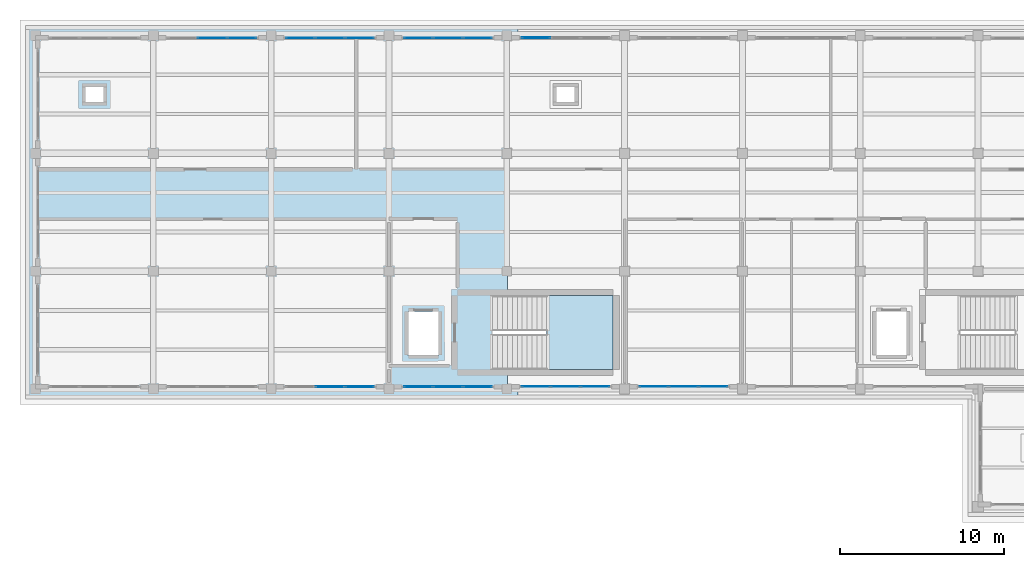
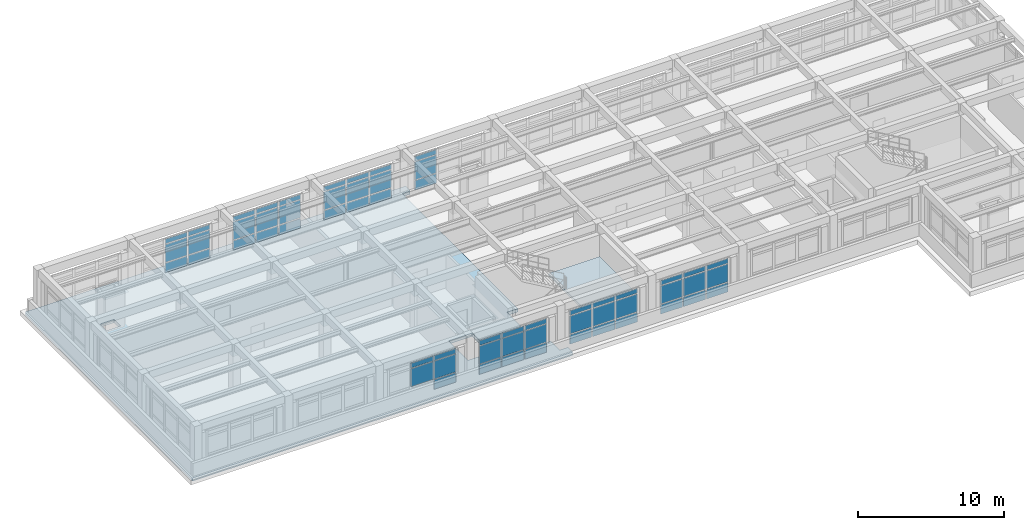
# One storey, part 11 of 19: 59 plates, 2 slabs, 9 elements without a shape of their own.
"""IFC4 building model written with IfcOpenShell, lengths in metres."""

from ifc_helpers import new_model, si_unit, direction, frame, origin, origin_2d, place, context, subcontext, project, spatial, polyline, rectangle, outline, extrude, material, layer, layer_set, type_object, element, aggregate, save


model = new_model("IFC4")

# Units and contexts
model_context = context("Model", 3, precision=1e-05, world=origin(), true_north=direction((0.0, 1.0)))
body_context = subcontext(model_context, "Body", "Model", "MODEL_VIEW")
ifc_project = project(units=[si_unit("LENGTHUNIT", "METRE"), si_unit("AREAUNIT", "SQUARE_METRE"), si_unit("VOLUMEUNIT", "CUBIC_METRE"), si_unit("PLANEANGLEUNIT", "RADIAN"), si_unit("MASSUNIT", "GRAM", prefix="KILO")], contexts=[model_context])

# Site, building, storey
site_placement = place(None, origin())
site = spatial("IfcSite", under=ifc_project, at=site_placement, CompositionType="ELEMENT")
building_placement = place(site_placement, origin())
building = spatial("IfcBuilding", under=site, at=building_placement, Name="Solenvale Faculty of Natural Sciences", CompositionType="ELEMENT")
storey_placement = place(building_placement, frame((0.0, 0.0, 27.0)))
storey = spatial("IfcBuildingStorey", under=building, at=storey_placement, Name="L06", CompositionType="ELEMENT", Elevation=27.0)

# Curtain wall, plates
ifc_material_1 = material(Name="Anodised bronze aluminium", Category="aluminium")
ifc_layer_1 = layer(ifc_material_1, 0.179931640625)
ifc_layer_set_1 = layer_set([ifc_layer_1], Name="Anodised bronze aluminium")
curtain_wall_type = type_object("IfcCurtainWallType", Name="CW-TWR-MOD", PredefinedType="USERDEFINED", material=ifc_layer_set_1)
curtain_wall_1_placement = place(storey_placement, origin())
curtain_wall_1 = element("IfcCurtainWall", 1, at=curtain_wall_1_placement, inside=storey, type_object=curtain_wall_type, Name="L06 Curtain Wall CW-L06-P1-E2-B7", ObjectType="UNITISED CURTAIN WALL", PredefinedType="USERDEFINED")
ifc_material_2 = material(Name="North-light skylight glass", Category="glass")
ifc_layer_2 = layer(ifc_material_2, 0.028076171875)
ifc_layer_set_2 = layer_set([ifc_layer_2], Name="North-light skylight glass")
plate_type_1 = type_object("IfcPlateType", Name="CWP-PNL-28", PredefinedType="CURTAIN_PANEL", material=ifc_layer_set_2)
plate_1_placement = place(storey_placement, frame((106.214599609375, 115.0576171875, 0.074951171875), z_axis=(0.0, 0.0, 1.0), x_axis=(-1.0, 0.0, 0.0)))
plate_1 = element("IfcPlate", 2, at=plate_1_placement, type_object=plate_type_1, Name="CW-04 panel 1.1", PredefinedType="CURTAIN_PANEL", context=body_context, shape_type="SweptSolid", body=[
    extrude(rectangle(XDim=1.720947265625, YDim=0.028076171875, at=origin_2d()), origin(), (0.0, 0.0, 1.0), 0.78759765625),
])
plate_2_placement = place(storey_placement, frame((106.214599609375, 115.0576171875, 0.9375), z_axis=(0.0, 0.0, 1.0), x_axis=(-1.0, 0.0, 0.0)))
plate_2 = element("IfcPlate", 3, at=plate_2_placement, type_object=plate_type_1, Name="CW-04 panel 1.2", PredefinedType="CURTAIN_PANEL", context=body_context, shape_type="SweptSolid", body=[
    extrude(rectangle(XDim=1.720947265625, YDim=0.028076171875, at=origin_2d()), origin(), (0.0, 0.0, 1.0), 1.485107421875),
])
plate_3_placement = place(storey_placement, frame((106.214599609375, 115.0576171875, 2.49755859375), z_axis=(0.0, 0.0, 1.0), x_axis=(-1.0, 0.0, 0.0)))
plate_3 = element("IfcPlate", 4, at=plate_3_placement, type_object=plate_type_1, Name="CW-04 panel 1.3", PredefinedType="CURTAIN_PANEL", context=body_context, shape_type="SweptSolid", body=[
    extrude(rectangle(XDim=1.720947265625, YDim=0.028076171875, at=origin_2d()), origin(), (0.0, 0.0, 1.0), 0.387451171875),
])
plate_4_placement = place(storey_placement, frame((104.39990234375, 115.0576171875, 0.074951171875), z_axis=(0.0, 0.0, 1.0), x_axis=(-1.0, 0.0, 0.0)))
plate_4 = element("IfcPlate", 5, at=plate_4_placement, type_object=plate_type_1, Name="CW-04 panel 2.1", PredefinedType="CURTAIN_PANEL", context=body_context, shape_type="SweptSolid", body=[
    extrude(rectangle(XDim=1.75830078125, YDim=0.028076171875, at=origin_2d()), origin(), (0.0, 0.0, 1.0), 0.78759765625),
])
plate_5_placement = place(storey_placement, frame((104.39990234375, 115.0576171875, 0.9375), z_axis=(0.0, 0.0, 1.0), x_axis=(-1.0, 0.0, 0.0)))
plate_5 = element("IfcPlate", 6, at=plate_5_placement, type_object=plate_type_1, Name="CW-04 panel 2.2", PredefinedType="CURTAIN_PANEL", context=body_context, shape_type="SweptSolid", body=[
    extrude(rectangle(XDim=1.75830078125, YDim=0.028076171875, at=origin_2d()), origin(), (0.0, 0.0, 1.0), 1.485107421875),
])
plate_6_placement = place(storey_placement, frame((104.39990234375, 115.0576171875, 2.49755859375), z_axis=(0.0, 0.0, 1.0), x_axis=(-1.0, 0.0, 0.0)))
plate_6 = element("IfcPlate", 7, at=plate_6_placement, type_object=plate_type_1, Name="CW-04 panel 2.3", PredefinedType="CURTAIN_PANEL", context=body_context, shape_type="SweptSolid", body=[
    extrude(rectangle(XDim=1.75830078125, YDim=0.028076171875, at=origin_2d()), origin(), (0.0, 0.0, 1.0), 0.387451171875),
])
plate_7_placement = place(storey_placement, frame((102.58544921875, 115.0576171875, 0.074951171875), z_axis=(0.0, 0.0, 1.0), x_axis=(-1.0, 0.0, 0.0)))
plate_7 = element("IfcPlate", 8, at=plate_7_placement, type_object=plate_type_1, Name="CW-04 panel 3.1", PredefinedType="CURTAIN_PANEL", context=body_context, shape_type="SweptSolid", body=[
    extrude(rectangle(XDim=1.720947265625, YDim=0.028076171875, at=origin_2d()), origin(), (0.0, 0.0, 1.0), 0.78759765625),
])
plate_8_placement = place(storey_placement, frame((102.58544921875, 115.0576171875, 0.9375), z_axis=(0.0, 0.0, 1.0), x_axis=(-1.0, 0.0, 0.0)))
plate_8 = element("IfcPlate", 9, at=plate_8_placement, type_object=plate_type_1, Name="CW-04 panel 3.2", PredefinedType="CURTAIN_PANEL", context=body_context, shape_type="SweptSolid", body=[
    extrude(rectangle(XDim=1.720947265625, YDim=0.028076171875, at=origin_2d()), origin(), (0.0, 0.0, 1.0), 1.485107421875),
])
plate_9_placement = place(storey_placement, frame((102.58544921875, 115.0576171875, 2.49755859375), z_axis=(0.0, 0.0, 1.0), x_axis=(-1.0, 0.0, 0.0)))
plate_9 = element("IfcPlate", 10, at=plate_9_placement, type_object=plate_type_1, Name="CW-04 panel 3.3", PredefinedType="CURTAIN_PANEL", context=body_context, shape_type="SweptSolid", body=[
    extrude(rectangle(XDim=1.720947265625, YDim=0.028076171875, at=origin_2d()), origin(), (0.0, 0.0, 1.0), 0.387451171875),
])
aggregate(curtain_wall_1, [plate_1, plate_2, plate_3, plate_4, plate_5, plate_6, plate_7, plate_8, plate_9])

curtain_wall_2_placement = place(storey_placement, origin())
curtain_wall_2 = element("IfcCurtainWall", 11, at=curtain_wall_2_placement, inside=storey, type_object=curtain_wall_type, Name="L06 Curtain Wall CW-L06-P1-E4-B5", ObjectType="UNITISED CURTAIN WALL", PredefinedType="USERDEFINED")
plate_10_placement = place(storey_placement, frame((109.785400390625, 93.742431640625, 0.074951171875), z_axis=(0.0, 0.0, 1.0), x_axis=(1.0, 0.0, 0.0)))
plate_10 = element("IfcPlate", 12, at=plate_10_placement, type_object=plate_type_1, Name="CW-04 panel 1.1", PredefinedType="CURTAIN_PANEL", context=body_context, shape_type="SweptSolid", body=[
    extrude(rectangle(XDim=1.720947265625, YDim=0.028076171875, at=origin_2d()), origin(), (0.0, 0.0, 1.0), 0.78759765625),
])
plate_11_placement = place(storey_placement, frame((109.785400390625, 93.742431640625, 0.9375), z_axis=(0.0, 0.0, 1.0), x_axis=(1.0, 0.0, 0.0)))
plate_11 = element("IfcPlate", 13, at=plate_11_placement, type_object=plate_type_1, Name="CW-04 panel 1.2", PredefinedType="CURTAIN_PANEL", context=body_context, shape_type="SweptSolid", body=[
    extrude(rectangle(XDim=1.720947265625, YDim=0.028076171875, at=origin_2d()), origin(), (0.0, 0.0, 1.0), 1.485107421875),
])
plate_12_placement = place(storey_placement, frame((109.785400390625, 93.742431640625, 2.49755859375), z_axis=(0.0, 0.0, 1.0), x_axis=(1.0, 0.0, 0.0)))
plate_12 = element("IfcPlate", 14, at=plate_12_placement, type_object=plate_type_1, Name="CW-04 panel 1.3", PredefinedType="CURTAIN_PANEL", context=body_context, shape_type="SweptSolid", body=[
    extrude(rectangle(XDim=1.720947265625, YDim=0.028076171875, at=origin_2d()), origin(), (0.0, 0.0, 1.0), 0.387451171875),
])
plate_13_placement = place(storey_placement, frame((111.60009765625, 93.742431640625, 0.074951171875), z_axis=(0.0, 0.0, 1.0), x_axis=(1.0, 0.0, 0.0)))
plate_13 = element("IfcPlate", 15, at=plate_13_placement, type_object=plate_type_1, Name="CW-04 panel 2.1", PredefinedType="CURTAIN_PANEL", context=body_context, shape_type="SweptSolid", body=[
    extrude(rectangle(XDim=1.75830078125, YDim=0.028076171875, at=origin_2d()), origin(), (0.0, 0.0, 1.0), 0.78759765625),
])
plate_14_placement = place(storey_placement, frame((111.60009765625, 93.742431640625, 0.9375), z_axis=(0.0, 0.0, 1.0), x_axis=(1.0, 0.0, 0.0)))
plate_14 = element("IfcPlate", 16, at=plate_14_placement, type_object=plate_type_1, Name="CW-04 panel 2.2", PredefinedType="CURTAIN_PANEL", context=body_context, shape_type="SweptSolid", body=[
    extrude(rectangle(XDim=1.75830078125, YDim=0.028076171875, at=origin_2d()), origin(), (0.0, 0.0, 1.0), 1.485107421875),
])
plate_15_placement = place(storey_placement, frame((111.60009765625, 93.742431640625, 2.49755859375), z_axis=(0.0, 0.0, 1.0), x_axis=(1.0, 0.0, 0.0)))
plate_15 = element("IfcPlate", 17, at=plate_15_placement, type_object=plate_type_1, Name="CW-04 panel 2.3", PredefinedType="CURTAIN_PANEL", context=body_context, shape_type="SweptSolid", body=[
    extrude(rectangle(XDim=1.75830078125, YDim=0.028076171875, at=origin_2d()), origin(), (0.0, 0.0, 1.0), 0.387451171875),
])
plate_16_placement = place(storey_placement, frame((113.41455078125, 93.742431640625, 0.074951171875), z_axis=(0.0, 0.0, 1.0), x_axis=(1.0, 0.0, 0.0)))
plate_16 = element("IfcPlate", 18, at=plate_16_placement, type_object=plate_type_1, Name="CW-04 panel 3.1", PredefinedType="CURTAIN_PANEL", context=body_context, shape_type="SweptSolid", body=[
    extrude(rectangle(XDim=1.720947265625, YDim=0.028076171875, at=origin_2d()), origin(), (0.0, 0.0, 1.0), 0.78759765625),
])
plate_17_placement = place(storey_placement, frame((113.41455078125, 93.742431640625, 0.9375), z_axis=(0.0, 0.0, 1.0), x_axis=(1.0, 0.0, 0.0)))
plate_17 = element("IfcPlate", 19, at=plate_17_placement, type_object=plate_type_1, Name="CW-04 panel 3.2", PredefinedType="CURTAIN_PANEL", context=body_context, shape_type="SweptSolid", body=[
    extrude(rectangle(XDim=1.720947265625, YDim=0.028076171875, at=origin_2d()), origin(), (0.0, 0.0, 1.0), 1.485107421875),
])
plate_18_placement = place(storey_placement, frame((113.41455078125, 93.742431640625, 2.49755859375), z_axis=(0.0, 0.0, 1.0), x_axis=(1.0, 0.0, 0.0)))
plate_18 = element("IfcPlate", 20, at=plate_18_placement, type_object=plate_type_1, Name="CW-04 panel 3.3", PredefinedType="CURTAIN_PANEL", context=body_context, shape_type="SweptSolid", body=[
    extrude(rectangle(XDim=1.720947265625, YDim=0.028076171875, at=origin_2d()), origin(), (0.0, 0.0, 1.0), 0.387451171875),
])
aggregate(curtain_wall_2, [plate_10, plate_11, plate_12, plate_13, plate_14, plate_15, plate_16, plate_17, plate_18])

curtain_wall_3_placement = place(storey_placement, origin())
curtain_wall_3 = element("IfcCurtainWall", 21, at=curtain_wall_3_placement, inside=storey, type_object=curtain_wall_type, Name="L06 Curtain Wall CW-L06-P1-E2-B8", ObjectType="UNITISED CURTAIN WALL", PredefinedType="USERDEFINED")
ifc_material_3 = material(Name="Triple low-E insulated glass", Category="glass")
ifc_layer_3 = layer(ifc_material_3, 0.031982421875)
ifc_layer_set_3 = layer_set([ifc_layer_3], Name="Triple low-E insulated glass")
plate_type_2 = type_object("IfcPlateType", Name="CWP-PNL-32", PredefinedType="CURTAIN_PANEL", material=ifc_layer_set_3)
plate_19_placement = place(storey_placement, frame((99.0146484375, 115.0576171875, 0.074951171875), z_axis=(0.0, 0.0, 1.0), x_axis=(-1.0, 0.0, 0.0)))
plate_19 = element("IfcPlate", 22, at=plate_19_placement, type_object=plate_type_2, Name="CW-04 panel 1.1", PredefinedType="CURTAIN_PANEL", context=body_context, shape_type="SweptSolid", body=[
    extrude(rectangle(XDim=1.720947265625, YDim=0.031982421875, at=origin_2d()), origin(), (0.0, 0.0, 1.0), 0.78759765625),
])
plate_20_placement = place(storey_placement, frame((99.0146484375, 115.0576171875, 0.9375), z_axis=(0.0, 0.0, 1.0), x_axis=(-1.0, 0.0, 0.0)))
plate_20 = element("IfcPlate", 23, at=plate_20_placement, type_object=plate_type_2, Name="CW-04 panel 1.2", PredefinedType="CURTAIN_PANEL", context=body_context, shape_type="SweptSolid", body=[
    extrude(rectangle(XDim=1.720947265625, YDim=0.031982421875, at=origin_2d()), origin(), (0.0, 0.0, 1.0), 1.485107421875),
])
plate_21_placement = place(storey_placement, frame((99.0146484375, 115.0576171875, 2.49755859375), z_axis=(0.0, 0.0, 1.0), x_axis=(-1.0, 0.0, 0.0)))
plate_21 = element("IfcPlate", 24, at=plate_21_placement, type_object=plate_type_2, Name="CW-04 panel 1.3", PredefinedType="CURTAIN_PANEL", context=body_context, shape_type="SweptSolid", body=[
    extrude(rectangle(XDim=1.720947265625, YDim=0.031982421875, at=origin_2d()), origin(), (0.0, 0.0, 1.0), 0.387451171875),
])
plate_22_placement = place(storey_placement, frame((97.199951171875, 115.0576171875, 0.074951171875), z_axis=(0.0, 0.0, 1.0), x_axis=(-1.0, 0.0, 0.0)))
plate_22 = element("IfcPlate", 25, at=plate_22_placement, type_object=plate_type_2, Name="CW-04 panel 2.1", PredefinedType="CURTAIN_PANEL", context=body_context, shape_type="SweptSolid", body=[
    extrude(rectangle(XDim=1.75830078125, YDim=0.031982421875, at=origin_2d()), origin(), (0.0, 0.0, 1.0), 0.78759765625),
])
plate_23_placement = place(storey_placement, frame((97.199951171875, 115.0576171875, 0.9375), z_axis=(0.0, 0.0, 1.0), x_axis=(-1.0, 0.0, 0.0)))
plate_23 = element("IfcPlate", 26, at=plate_23_placement, type_object=plate_type_2, Name="CW-04 panel 2.2", PredefinedType="CURTAIN_PANEL", context=body_context, shape_type="SweptSolid", body=[
    extrude(rectangle(XDim=1.75830078125, YDim=0.031982421875, at=origin_2d()), origin(), (0.0, 0.0, 1.0), 1.485107421875),
])
plate_24_placement = place(storey_placement, frame((97.199951171875, 115.0576171875, 2.49755859375), z_axis=(0.0, 0.0, 1.0), x_axis=(-1.0, 0.0, 0.0)))
plate_24 = element("IfcPlate", 27, at=plate_24_placement, type_object=plate_type_2, Name="CW-04 panel 2.3", PredefinedType="CURTAIN_PANEL", context=body_context, shape_type="SweptSolid", body=[
    extrude(rectangle(XDim=1.75830078125, YDim=0.031982421875, at=origin_2d()), origin(), (0.0, 0.0, 1.0), 0.387451171875),
])
plate_25_placement = place(storey_placement, frame((95.385498046875, 115.0576171875, 0.074951171875), z_axis=(0.0, 0.0, 1.0), x_axis=(-1.0, 0.0, 0.0)))
plate_25 = element("IfcPlate", 28, at=plate_25_placement, type_object=plate_type_2, Name="CW-04 panel 3.1", PredefinedType="CURTAIN_PANEL", context=body_context, shape_type="SweptSolid", body=[
    extrude(rectangle(XDim=1.720947265625, YDim=0.031982421875, at=origin_2d()), origin(), (0.0, 0.0, 1.0), 0.78759765625),
])
plate_26_placement = place(storey_placement, frame((95.385498046875, 115.0576171875, 0.9375), z_axis=(0.0, 0.0, 1.0), x_axis=(-1.0, 0.0, 0.0)))
plate_26 = element("IfcPlate", 29, at=plate_26_placement, type_object=plate_type_2, Name="CW-04 panel 3.2", PredefinedType="CURTAIN_PANEL", context=body_context, shape_type="SweptSolid", body=[
    extrude(rectangle(XDim=1.720947265625, YDim=0.031982421875, at=origin_2d()), origin(), (0.0, 0.0, 1.0), 1.485107421875),
])
plate_27_placement = place(storey_placement, frame((95.385498046875, 115.0576171875, 2.49755859375), z_axis=(0.0, 0.0, 1.0), x_axis=(-1.0, 0.0, 0.0)))
plate_27 = element("IfcPlate", 30, at=plate_27_placement, type_object=plate_type_2, Name="CW-04 panel 3.3", PredefinedType="CURTAIN_PANEL", context=body_context, shape_type="SweptSolid", body=[
    extrude(rectangle(XDim=1.720947265625, YDim=0.031982421875, at=origin_2d()), origin(), (0.0, 0.0, 1.0), 0.387451171875),
])
aggregate(curtain_wall_3, [plate_19, plate_20, plate_21, plate_22, plate_23, plate_24, plate_25, plate_26, plate_27])

curtain_wall_4_placement = place(storey_placement, origin())
curtain_wall_4 = element("IfcCurtainWall", 31, at=curtain_wall_4_placement, inside=storey, type_object=curtain_wall_type, Name="L06 Curtain Wall CW-L06-P1-E4-B6", ObjectType="UNITISED CURTAIN WALL", PredefinedType="USERDEFINED")
plate_28_placement = place(storey_placement, frame((116.9853515625, 93.742431640625, 0.074951171875), z_axis=(0.0, 0.0, 1.0), x_axis=(1.0, 0.0, 0.0)))
plate_28 = element("IfcPlate", 32, at=plate_28_placement, type_object=plate_type_2, Name="CW-04 panel 1.1", PredefinedType="CURTAIN_PANEL", context=body_context, shape_type="SweptSolid", body=[
    extrude(rectangle(XDim=1.720947265625, YDim=0.031982421875, at=origin_2d()), origin(), (0.0, 0.0, 1.0), 0.78759765625),
])
plate_29_placement = place(storey_placement, frame((116.9853515625, 93.742431640625, 0.9375), z_axis=(0.0, 0.0, 1.0), x_axis=(1.0, 0.0, 0.0)))
plate_29 = element("IfcPlate", 33, at=plate_29_placement, type_object=plate_type_2, Name="CW-04 panel 1.2", PredefinedType="CURTAIN_PANEL", context=body_context, shape_type="SweptSolid", body=[
    extrude(rectangle(XDim=1.720947265625, YDim=0.031982421875, at=origin_2d()), origin(), (0.0, 0.0, 1.0), 1.485107421875),
])
plate_30_placement = place(storey_placement, frame((116.9853515625, 93.742431640625, 2.49755859375), z_axis=(0.0, 0.0, 1.0), x_axis=(1.0, 0.0, 0.0)))
plate_30 = element("IfcPlate", 34, at=plate_30_placement, type_object=plate_type_2, Name="CW-04 panel 1.3", PredefinedType="CURTAIN_PANEL", context=body_context, shape_type="SweptSolid", body=[
    extrude(rectangle(XDim=1.720947265625, YDim=0.031982421875, at=origin_2d()), origin(), (0.0, 0.0, 1.0), 0.387451171875),
])
plate_31_placement = place(storey_placement, frame((118.800048828125, 93.742431640625, 0.074951171875), z_axis=(0.0, 0.0, 1.0), x_axis=(1.0, 0.0, 0.0)))
plate_31 = element("IfcPlate", 35, at=plate_31_placement, type_object=plate_type_2, Name="CW-04 panel 2.1", PredefinedType="CURTAIN_PANEL", context=body_context, shape_type="SweptSolid", body=[
    extrude(rectangle(XDim=1.75830078125, YDim=0.031982421875, at=origin_2d()), origin(), (0.0, 0.0, 1.0), 0.78759765625),
])
plate_32_placement = place(storey_placement, frame((118.800048828125, 93.742431640625, 0.9375), z_axis=(0.0, 0.0, 1.0), x_axis=(1.0, 0.0, 0.0)))
plate_32 = element("IfcPlate", 36, at=plate_32_placement, type_object=plate_type_2, Name="CW-04 panel 2.2", PredefinedType="CURTAIN_PANEL", context=body_context, shape_type="SweptSolid", body=[
    extrude(rectangle(XDim=1.75830078125, YDim=0.031982421875, at=origin_2d()), origin(), (0.0, 0.0, 1.0), 1.485107421875),
])
plate_33_placement = place(storey_placement, frame((118.800048828125, 93.742431640625, 2.49755859375), z_axis=(0.0, 0.0, 1.0), x_axis=(1.0, 0.0, 0.0)))
plate_33 = element("IfcPlate", 37, at=plate_33_placement, type_object=plate_type_2, Name="CW-04 panel 2.3", PredefinedType="CURTAIN_PANEL", context=body_context, shape_type="SweptSolid", body=[
    extrude(rectangle(XDim=1.75830078125, YDim=0.031982421875, at=origin_2d()), origin(), (0.0, 0.0, 1.0), 0.387451171875),
])
plate_34_placement = place(storey_placement, frame((120.614501953125, 93.742431640625, 0.074951171875), z_axis=(0.0, 0.0, 1.0), x_axis=(1.0, 0.0, 0.0)))
plate_34 = element("IfcPlate", 38, at=plate_34_placement, type_object=plate_type_2, Name="CW-04 panel 3.1", PredefinedType="CURTAIN_PANEL", context=body_context, shape_type="SweptSolid", body=[
    extrude(rectangle(XDim=1.720947265625, YDim=0.031982421875, at=origin_2d()), origin(), (0.0, 0.0, 1.0), 0.78759765625),
])
plate_35_placement = place(storey_placement, frame((120.614501953125, 93.742431640625, 0.9375), z_axis=(0.0, 0.0, 1.0), x_axis=(1.0, 0.0, 0.0)))
plate_35 = element("IfcPlate", 39, at=plate_35_placement, type_object=plate_type_2, Name="CW-04 panel 3.2", PredefinedType="CURTAIN_PANEL", context=body_context, shape_type="SweptSolid", body=[
    extrude(rectangle(XDim=1.720947265625, YDim=0.031982421875, at=origin_2d()), origin(), (0.0, 0.0, 1.0), 1.485107421875),
])
plate_36_placement = place(storey_placement, frame((120.614501953125, 93.742431640625, 2.49755859375), z_axis=(0.0, 0.0, 1.0), x_axis=(1.0, 0.0, 0.0)))
plate_36 = element("IfcPlate", 40, at=plate_36_placement, type_object=plate_type_2, Name="CW-04 panel 3.3", PredefinedType="CURTAIN_PANEL", context=body_context, shape_type="SweptSolid", body=[
    extrude(rectangle(XDim=1.720947265625, YDim=0.031982421875, at=origin_2d()), origin(), (0.0, 0.0, 1.0), 0.387451171875),
])
aggregate(curtain_wall_4, [plate_28, plate_29, plate_30, plate_31, plate_32, plate_33, plate_34, plate_35, plate_36])

curtain_wall_5_placement = place(storey_placement, origin())
curtain_wall_5 = element("IfcCurtainWall", 41, at=curtain_wall_5_placement, inside=storey, type_object=curtain_wall_type, Name="L06 Curtain Wall CW-L06-P1-E2-B9", ObjectType="UNITISED CURTAIN WALL", PredefinedType="USERDEFINED")
ifc_layer_4 = layer(ifc_material_3, 0.035888671875)
ifc_layer_set_4 = layer_set([ifc_layer_4], Name="Triple low-E insulated glass")
plate_type_3 = type_object("IfcPlateType", Name="CWP-PNL-36", PredefinedType="CURTAIN_PANEL", material=ifc_layer_set_4)
plate_37_placement = place(storey_placement, frame((91.814697265625, 115.0576171875, 0.074951171875), z_axis=(0.0, 0.0, 1.0), x_axis=(-1.0, 0.0, 0.0)))
plate_37 = element("IfcPlate", 42, at=plate_37_placement, type_object=plate_type_3, Name="CW-04 panel 1.1", PredefinedType="CURTAIN_PANEL", context=body_context, shape_type="SweptSolid", body=[
    extrude(rectangle(XDim=1.720947265625, YDim=0.035888671875, at=origin_2d()), origin(), (0.0, 0.0, 1.0), 0.78759765625),
])
plate_38_placement = place(storey_placement, frame((91.814697265625, 115.0576171875, 0.9375), z_axis=(0.0, 0.0, 1.0), x_axis=(-1.0, 0.0, 0.0)))
plate_38 = element("IfcPlate", 43, at=plate_38_placement, type_object=plate_type_3, Name="CW-04 panel 1.2", PredefinedType="CURTAIN_PANEL", context=body_context, shape_type="SweptSolid", body=[
    extrude(rectangle(XDim=1.720947265625, YDim=0.035888671875, at=origin_2d()), origin(), (0.0, 0.0, 1.0), 1.485107421875),
])
plate_39_placement = place(storey_placement, frame((91.814697265625, 115.0576171875, 2.49755859375), z_axis=(0.0, 0.0, 1.0), x_axis=(-1.0, 0.0, 0.0)))
plate_39 = element("IfcPlate", 44, at=plate_39_placement, type_object=plate_type_3, Name="CW-04 panel 1.3", PredefinedType="CURTAIN_PANEL", context=body_context, shape_type="SweptSolid", body=[
    extrude(rectangle(XDim=1.720947265625, YDim=0.035888671875, at=origin_2d()), origin(), (0.0, 0.0, 1.0), 0.387451171875),
])
plate_40_placement = place(storey_placement, frame((90.0, 115.0576171875, 0.074951171875), z_axis=(0.0, 0.0, 1.0), x_axis=(-1.0, 0.0, 0.0)))
plate_40 = element("IfcPlate", 45, at=plate_40_placement, type_object=plate_type_3, Name="CW-04 panel 2.1", PredefinedType="CURTAIN_PANEL", context=body_context, shape_type="SweptSolid", body=[
    extrude(rectangle(XDim=1.75830078125, YDim=0.035888671875, at=origin_2d()), origin(), (0.0, 0.0, 1.0), 0.78759765625),
])
plate_41_placement = place(storey_placement, frame((90.0, 115.0576171875, 0.9375), z_axis=(0.0, 0.0, 1.0), x_axis=(-1.0, 0.0, 0.0)))
plate_41 = element("IfcPlate", 46, at=plate_41_placement, type_object=plate_type_3, Name="CW-04 panel 2.2", PredefinedType="CURTAIN_PANEL", context=body_context, shape_type="SweptSolid", body=[
    extrude(rectangle(XDim=1.75830078125, YDim=0.035888671875, at=origin_2d()), origin(), (0.0, 0.0, 1.0), 1.485107421875),
])
plate_42_placement = place(storey_placement, frame((90.0, 115.0576171875, 2.49755859375), z_axis=(0.0, 0.0, 1.0), x_axis=(-1.0, 0.0, 0.0)))
plate_42 = element("IfcPlate", 47, at=plate_42_placement, type_object=plate_type_3, Name="CW-04 panel 2.3", PredefinedType="CURTAIN_PANEL", context=body_context, shape_type="SweptSolid", body=[
    extrude(rectangle(XDim=1.75830078125, YDim=0.035888671875, at=origin_2d()), origin(), (0.0, 0.0, 1.0), 0.387451171875),
])
aggregate(curtain_wall_5, [plate_37, plate_38, plate_39, plate_40, plate_41, plate_42])

curtain_wall_6_placement = place(storey_placement, origin())
curtain_wall_6 = element("IfcCurtainWall", 48, at=curtain_wall_6_placement, inside=storey, type_object=curtain_wall_type, Name="L06 Curtain Wall CW-L06-P1-E4-B3", ObjectType="UNITISED CURTAIN WALL", PredefinedType="USERDEFINED")
ifc_layer_5 = layer(ifc_material_1, 0.053955078125)
ifc_layer_set_5 = layer_set([ifc_layer_5], Name="Anodised bronze aluminium")
plate_type_4 = type_object("IfcPlateType", Name="CWP-PNL-54", PredefinedType="CURTAIN_PANEL", material=ifc_layer_set_5)
plate_43_placement = place(storey_placement, frame((97.199951171875, 93.742431640625, 0.9375), z_axis=(0.0, 0.0, 1.0), x_axis=(1.0, 0.0, 0.0)))
plate_43 = element("IfcPlate", 49, at=plate_43_placement, type_object=plate_type_4, Name="CW-04 panel 2.2", PredefinedType="CURTAIN_PANEL", context=body_context, shape_type="SweptSolid", body=[
    extrude(rectangle(XDim=1.75830078125, YDim=0.053955078125, at=origin_2d()), origin(), (0.0, 0.0, 1.0), 1.485107421875),
])
plate_44_placement = place(storey_placement, frame((97.199951171875, 93.742431640625, 2.49755859375), z_axis=(0.0, 0.0, 1.0), x_axis=(1.0, 0.0, 0.0)))
plate_44 = element("IfcPlate", 50, at=plate_44_placement, type_object=plate_type_4, Name="CW-04 panel 2.3", PredefinedType="CURTAIN_PANEL", context=body_context, shape_type="SweptSolid", body=[
    extrude(rectangle(XDim=1.75830078125, YDim=0.053955078125, at=origin_2d()), origin(), (0.0, 0.0, 1.0), 0.387451171875),
])
plate_45_placement = place(storey_placement, frame((99.0146484375, 93.742431640625, 0.074951171875), z_axis=(0.0, 0.0, 1.0), x_axis=(1.0, 0.0, 0.0)))
plate_45 = element("IfcPlate", 51, at=plate_45_placement, type_object=plate_type_4, Name="CW-04 panel 3.1", PredefinedType="CURTAIN_PANEL", context=body_context, shape_type="SweptSolid", body=[
    extrude(rectangle(XDim=1.720947265625, YDim=0.053955078125, at=origin_2d()), origin(), (0.0, 0.0, 1.0), 0.78759765625),
])
plate_46_placement = place(storey_placement, frame((99.0146484375, 93.742431640625, 0.9375), z_axis=(0.0, 0.0, 1.0), x_axis=(1.0, 0.0, 0.0)))
plate_46 = element("IfcPlate", 52, at=plate_46_placement, type_object=plate_type_4, Name="CW-04 panel 3.2", PredefinedType="CURTAIN_PANEL", context=body_context, shape_type="SweptSolid", body=[
    extrude(rectangle(XDim=1.720947265625, YDim=0.053955078125, at=origin_2d()), origin(), (0.0, 0.0, 1.0), 1.485107421875),
])
plate_47_placement = place(storey_placement, frame((99.0146484375, 93.742431640625, 2.49755859375), z_axis=(0.0, 0.0, 1.0), x_axis=(1.0, 0.0, 0.0)))
plate_47 = element("IfcPlate", 53, at=plate_47_placement, type_object=plate_type_4, Name="CW-04 panel 3.3", PredefinedType="CURTAIN_PANEL", context=body_context, shape_type="SweptSolid", body=[
    extrude(rectangle(XDim=1.720947265625, YDim=0.053955078125, at=origin_2d()), origin(), (0.0, 0.0, 1.0), 0.387451171875),
])
aggregate(curtain_wall_6, [plate_43, plate_44, plate_45, plate_46, plate_47])

curtain_wall_7_placement = place(storey_placement, origin())
curtain_wall_7 = element("IfcCurtainWall", 54, at=curtain_wall_7_placement, inside=storey, type_object=curtain_wall_type, Name="L06 Curtain Wall CW-L06-P1-E2-B6", ObjectType="UNITISED CURTAIN WALL", PredefinedType="USERDEFINED")
ifc_layer_6 = layer(ifc_material_1, 0.06005859375)
ifc_layer_set_6 = layer_set([ifc_layer_6], Name="Anodised bronze aluminium")
plate_type_5 = type_object("IfcPlateType", Name="CWP-PNL-60", PredefinedType="CURTAIN_PANEL", material=ifc_layer_set_6)
plate_48_placement = place(storey_placement, frame((109.785400390625, 115.0576171875, 0.074951171875), z_axis=(0.0, 0.0, 1.0), x_axis=(-1.0, 0.0, 0.0)))
plate_48 = element("IfcPlate", 55, at=plate_48_placement, type_object=plate_type_5, Name="CW-04 panel 3.1", PredefinedType="CURTAIN_PANEL", context=body_context, shape_type="SweptSolid", body=[
    extrude(rectangle(XDim=1.720947265625, YDim=0.06005859375, at=origin_2d()), origin(), (0.0, 0.0, 1.0), 0.78759765625),
])
plate_49_placement = place(storey_placement, frame((109.785400390625, 115.0576171875, 0.9375), z_axis=(0.0, 0.0, 1.0), x_axis=(-1.0, 0.0, 0.0)))
plate_49 = element("IfcPlate", 56, at=plate_49_placement, type_object=plate_type_5, Name="CW-04 panel 3.2", PredefinedType="CURTAIN_PANEL", context=body_context, shape_type="SweptSolid", body=[
    extrude(rectangle(XDim=1.720947265625, YDim=0.06005859375, at=origin_2d()), origin(), (0.0, 0.0, 1.0), 1.485107421875),
])
plate_50_placement = place(storey_placement, frame((109.785400390625, 115.0576171875, 2.49755859375), z_axis=(0.0, 0.0, 1.0), x_axis=(-1.0, 0.0, 0.0)))
plate_50 = element("IfcPlate", 57, at=plate_50_placement, type_object=plate_type_5, Name="CW-04 panel 3.3", PredefinedType="CURTAIN_PANEL", context=body_context, shape_type="SweptSolid", body=[
    extrude(rectangle(XDim=1.720947265625, YDim=0.06005859375, at=origin_2d()), origin(), (0.0, 0.0, 1.0), 0.387451171875),
])
aggregate(curtain_wall_7, [plate_48, plate_49, plate_50])

curtain_wall_8_placement = place(storey_placement, origin())
curtain_wall_8 = element("IfcCurtainWall", 58, at=curtain_wall_8_placement, inside=storey, type_object=curtain_wall_type, Name="L06 Curtain Wall CW-L06-P1-E4-B4", ObjectType="UNITISED CURTAIN WALL", PredefinedType="USERDEFINED")
plate_51_placement = place(storey_placement, frame((102.58544921875, 93.742431640625, 0.074951171875), z_axis=(0.0, 0.0, 1.0), x_axis=(1.0, 0.0, 0.0)))
plate_51 = element("IfcPlate", 59, at=plate_51_placement, type_object=plate_type_5, Name="CW-04 panel 1.1", PredefinedType="CURTAIN_PANEL", context=body_context, shape_type="SweptSolid", body=[
    extrude(rectangle(XDim=1.720947265625, YDim=0.06005859375, at=origin_2d()), origin(), (0.0, 0.0, 1.0), 0.78759765625),
])
plate_52_placement = place(storey_placement, frame((102.58544921875, 93.742431640625, 0.9375), z_axis=(0.0, 0.0, 1.0), x_axis=(1.0, 0.0, 0.0)))
plate_52 = element("IfcPlate", 60, at=plate_52_placement, type_object=plate_type_5, Name="CW-04 panel 1.2", PredefinedType="CURTAIN_PANEL", context=body_context, shape_type="SweptSolid", body=[
    extrude(rectangle(XDim=1.720947265625, YDim=0.06005859375, at=origin_2d()), origin(), (0.0, 0.0, 1.0), 1.485107421875),
])
plate_53_placement = place(storey_placement, frame((102.58544921875, 93.742431640625, 2.49755859375), z_axis=(0.0, 0.0, 1.0), x_axis=(1.0, 0.0, 0.0)))
plate_53 = element("IfcPlate", 61, at=plate_53_placement, type_object=plate_type_5, Name="CW-04 panel 1.3", PredefinedType="CURTAIN_PANEL", context=body_context, shape_type="SweptSolid", body=[
    extrude(rectangle(XDim=1.720947265625, YDim=0.06005859375, at=origin_2d()), origin(), (0.0, 0.0, 1.0), 0.387451171875),
])
plate_54_placement = place(storey_placement, frame((104.39990234375, 93.742431640625, 0.074951171875), z_axis=(0.0, 0.0, 1.0), x_axis=(1.0, 0.0, 0.0)))
plate_54 = element("IfcPlate", 62, at=plate_54_placement, type_object=plate_type_5, Name="CW-04 panel 2.1", PredefinedType="CURTAIN_PANEL", context=body_context, shape_type="SweptSolid", body=[
    extrude(rectangle(XDim=1.75830078125, YDim=0.06005859375, at=origin_2d()), origin(), (0.0, 0.0, 1.0), 0.78759765625),
])
plate_55_placement = place(storey_placement, frame((104.39990234375, 93.742431640625, 0.9375), z_axis=(0.0, 0.0, 1.0), x_axis=(1.0, 0.0, 0.0)))
plate_55 = element("IfcPlate", 63, at=plate_55_placement, type_object=plate_type_5, Name="CW-04 panel 2.2", PredefinedType="CURTAIN_PANEL", context=body_context, shape_type="SweptSolid", body=[
    extrude(rectangle(XDim=1.75830078125, YDim=0.06005859375, at=origin_2d()), origin(), (0.0, 0.0, 1.0), 1.485107421875),
])
plate_56_placement = place(storey_placement, frame((104.39990234375, 93.742431640625, 2.49755859375), z_axis=(0.0, 0.0, 1.0), x_axis=(1.0, 0.0, 0.0)))
plate_56 = element("IfcPlate", 64, at=plate_56_placement, type_object=plate_type_5, Name="CW-04 panel 2.3", PredefinedType="CURTAIN_PANEL", context=body_context, shape_type="SweptSolid", body=[
    extrude(rectangle(XDim=1.75830078125, YDim=0.06005859375, at=origin_2d()), origin(), (0.0, 0.0, 1.0), 0.387451171875),
])
plate_57_placement = place(storey_placement, frame((106.214599609375, 93.742431640625, 0.074951171875), z_axis=(0.0, 0.0, 1.0), x_axis=(1.0, 0.0, 0.0)))
plate_57 = element("IfcPlate", 65, at=plate_57_placement, type_object=plate_type_5, Name="CW-04 panel 3.1", PredefinedType="CURTAIN_PANEL", context=body_context, shape_type="SweptSolid", body=[
    extrude(rectangle(XDim=1.720947265625, YDim=0.06005859375, at=origin_2d()), origin(), (0.0, 0.0, 1.0), 0.78759765625),
])
plate_58_placement = place(storey_placement, frame((106.214599609375, 93.742431640625, 0.9375), z_axis=(0.0, 0.0, 1.0), x_axis=(1.0, 0.0, 0.0)))
plate_58 = element("IfcPlate", 66, at=plate_58_placement, type_object=plate_type_5, Name="CW-04 panel 3.2", PredefinedType="CURTAIN_PANEL", context=body_context, shape_type="SweptSolid", body=[
    extrude(rectangle(XDim=1.720947265625, YDim=0.06005859375, at=origin_2d()), origin(), (0.0, 0.0, 1.0), 1.485107421875),
])
plate_59_placement = place(storey_placement, frame((106.214599609375, 93.742431640625, 2.49755859375), z_axis=(0.0, 0.0, 1.0), x_axis=(1.0, 0.0, 0.0)))
plate_59 = element("IfcPlate", 67, at=plate_59_placement, type_object=plate_type_5, Name="CW-04 panel 3.3", PredefinedType="CURTAIN_PANEL", context=body_context, shape_type="SweptSolid", body=[
    extrude(rectangle(XDim=1.720947265625, YDim=0.06005859375, at=origin_2d()), origin(), (0.0, 0.0, 1.0), 0.387451171875),
])
aggregate(curtain_wall_8, [plate_51, plate_52, plate_53, plate_54, plate_55, plate_56, plate_57, plate_58, plate_59])

# Slab
ifc_material_4 = material(Name="Concrete 40 MPa", Category="concrete")
ifc_layer_7 = layer(ifc_material_4, 0.280029296875)
ifc_layer_set_7 = layer_set([ifc_layer_7], Name="Concrete 40 MPa")
slab_type_1 = type_object("IfcSlabType", Name="SL-FLR-280", PredefinedType="FLOOR", material=ifc_layer_set_7)
slab_1_placement = place(storey_placement, frame((0.0, 0.0, -0.280029296875)))
element("IfcSlab", 68, at=slab_1_placement, inside=storey, type_object=slab_type_1, Name="L06 V5 Floor Slab 1.1", PredefinedType="FLOOR", context=body_context, shape_type="SweptSolid", body=[
    extrude(outline(polyline([(107.139892578125, 94.800048828125), (108.0048828125, 94.800048828125), (108.0244140625, 94.791015625), (108.030029296875, 94.77490234375), (108.031005859375, 93.593505859375), (108.0498046875, 93.580078125), (108.655029296875, 93.580078125), (108.672607421875, 93.57275390625), (108.679931640625, 93.554931640625), (108.679931640625, 92.945068359375), (108.6708984375, 92.92578125), (108.655029296875, 92.919921875), (78.531005859375, 92.92431640625), (78.52001953125, 92.945068359375), (78.524169921875, 115.868896484375), (78.544921875, 115.8798828125), (108.6689453125, 115.875732421875), (108.679931640625, 115.85498046875), (108.679931640625, 115.2451171875), (108.672607421875, 115.227294921875), (108.655029296875, 115.219970703125), (108.0498046875, 115.219970703125), (108.036376953125, 115.214599609375), (108.030029296875, 115.201416015625), (108.030029296875, 99.324951171875), (108.022705078125, 99.307373046875), (108.0048828125, 99.300048828125), (107.139892578125, 99.300048828125), (107.139892578125, 94.800048828125)]), holes=[polyline([(101.9599609375, 95.66064453125), (103.840087890625, 95.659912109375), (103.840087890625, 98.340087890625), (101.9599609375, 98.340087890625), (101.9599609375, 95.66064453125)]), polyline([(82.25, 111.14990234375), (83.35009765625, 111.14990234375), (83.35009765625, 112.050048828125), (82.25, 112.050048828125), (82.25, 111.14990234375)])]), origin(), (0.0, 0.0, 1.0), 0.280029296875),
])

# Stair, slab
stair_type = type_object("IfcStairType", Name="STR-CORE-25R", PredefinedType="DOUBLE_RETURN_STAIR", material=ifc_material_4)
stair_placement = place(storey_placement, origin())
stair = element("IfcStair", 69, at=stair_placement, inside=storey, type_object=stair_type, Name="L06 Protected Exit Stair ST-04", PredefinedType="DOUBLE_RETURN_STAIR")
ifc_layer_8 = layer(ifc_material_4, 0.195068359375)
ifc_layer_set_8 = layer_set([ifc_layer_8], Name="Concrete 40 MPa")
slab_type_2 = type_object("IfcSlabType", Name="SL-LND-195", PredefinedType="LANDING", material=ifc_layer_set_8)
slab_2_placement = place(storey_placement, frame((0.0, 0.0, 1.89990234375)))
slab_2 = element("IfcSlab", 70, at=slab_2_placement, type_object=slab_type_2, Name="ST-04 landing 1", PredefinedType="LANDING", context=body_context, shape_type="SweptSolid", body=[
    extrude(outline(polyline([(110.43994140625, 94.800048828125), (114.5, 94.800048828125), (114.5, 99.300048828125), (110.43994140625, 99.300048828125), (110.43994140625, 94.800048828125)])), origin(), (0.0, 0.0, 1.0), 0.2001953125),
])
aggregate(stair, [slab_2])

save(model, "model.ifc")
